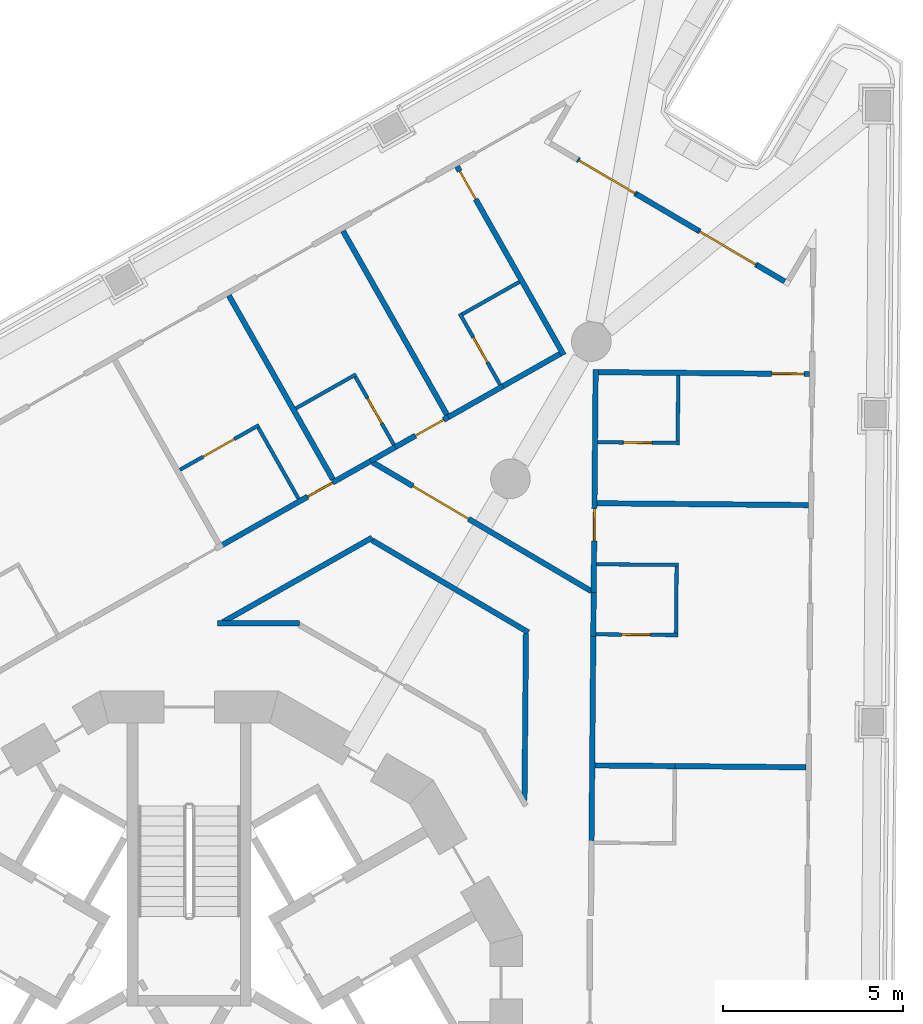
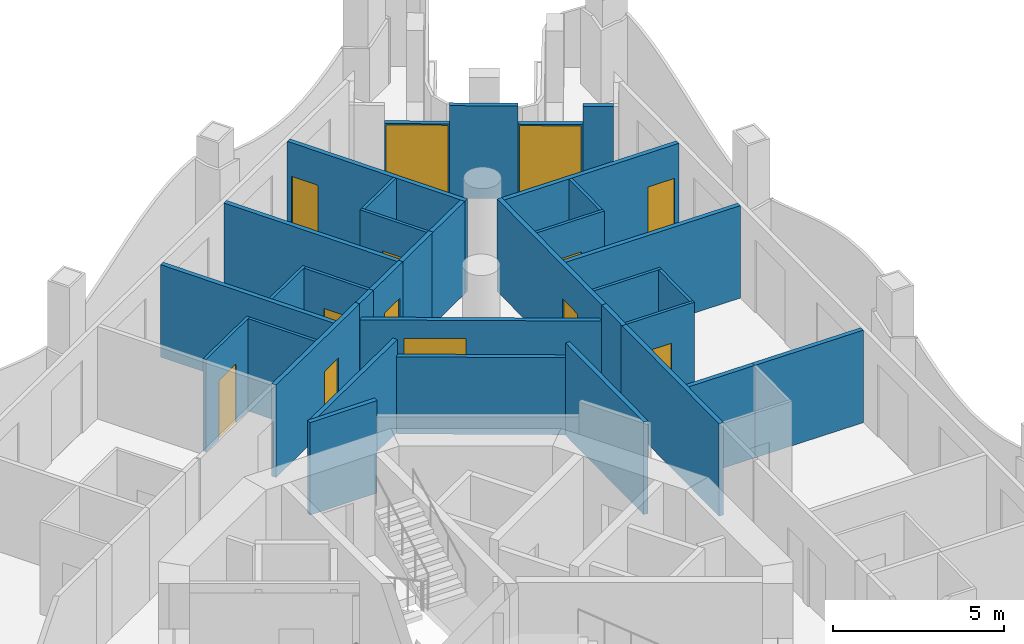
# One storey, part 9 of 17: 35 walls, 13 doors, 13 openings.
"""IFC4 building model written with IfcOpenShell, lengths in metres."""

import ifcopenshell
import ifcopenshell.guid

model = None  # the IFC model being written
_history = None  # IfcOwnerHistory: only IFC2X3 demands one
_inside = {}  # id of a spatial element -> (the spatial element, [elements in it])
_under = {}  # id of a project, library or spatial element -> (it, [spatial elements below it])
_declared = {}  # id of a project -> (the project, [libraries it declares])
_typed = {}  # id of a type object -> (the type object, [elements of that type])
_made_of = {}  # id of a material, layer set ... -> (it, [elements and type objects made of it])


def new_model(schema):
    """Start an empty IFC model of exactly this schema.

    Asked for "IFC4X3", IfcOpenShell would pick the latest addendum, in which some entities
    have other attributes; the version numbers below select the first issue.
    IFC2X3 requires an IfcOwnerHistory on every rooted entity: one is made here for all.
    """
    global model, _history
    if schema == "IFC4X3":
        model = ifcopenshell.file(schema_version=(4, 3, 0, 0))
    else:
        model = ifcopenshell.file(schema=schema)
    _inside.clear()
    _under.clear()
    _declared.clear()
    _typed.clear()
    _made_of.clear()
    _history = None
    if model.schema == "IFC2X3":
        org = make("IfcOrganization", Name="unknown")
        user = make(
            "IfcPersonAndOrganization",
            ThePerson=make("IfcPerson", FamilyName="unknown"),
            TheOrganization=org,
        )
        app = make(
            "IfcApplication",
            ApplicationDeveloper=org,
            Version="unknown",
            ApplicationFullName="unknown",
            ApplicationIdentifier="unknown",
        )
        _history = make(
            "IfcOwnerHistory",
            OwningUser=user,
            OwningApplication=app,
            ChangeAction="ADDED",
            CreationDate=0,
        )
    return model


def make(cls, **values):
    """One entity of the class cls with the attributes given. An attribute that is None is left unset."""
    return model.create_entity(
        cls, **{name: value for name, value in values.items() if value is not None}
    )


def rooted(cls, **values):
    """An entity with a GlobalId (a new one), such as an element, a storey or a relation."""
    return make(cls, GlobalId=ifcopenshell.guid.new(), OwnerHistory=_history, **values)


def si_unit(unit_type, name, prefix=None):
    """IfcSIUnit, for example si_unit("LENGTHUNIT", "METRE", prefix="MILLI")."""
    return make("IfcSIUnit", UnitType=unit_type, Prefix=prefix, Name=name)


def assignment(units):
    """IfcUnitAssignment: the units of a project."""
    return None if units is None else make("IfcUnitAssignment", Units=units)


def point(xyz):
    """IfcCartesianPoint."""
    return None if xyz is None else make("IfcCartesianPoint", Coordinates=xyz)


def direction(xyz):
    """IfcDirection."""
    return None if xyz is None else make("IfcDirection", DirectionRatios=xyz)


def frame(location, z_axis=None, x_axis=None):
    """IfcAxis2Placement3D, a coordinate frame: its origin and axes. An axis left out is left unset."""
    return make(
        "IfcAxis2Placement3D",
        Location=point(location),
        Axis=direction(z_axis),
        RefDirection=direction(x_axis),
    )


def frame_2d(location, x_axis=None):
    """IfcAxis2Placement2D, a coordinate frame in the plane: its origin and x axis."""
    return make(
        "IfcAxis2Placement2D", Location=point(location), RefDirection=direction(x_axis)
    )


def origin():
    """The frame at (0, 0, 0) with its axes left unset."""
    return frame((0.0, 0.0, 0.0))


def place(relative_to, where):
    """IfcLocalPlacement: puts the frame where relative to a parent placement (None: the world)."""
    return make(
        "IfcLocalPlacement", PlacementRelTo=relative_to, RelativePlacement=where
    )


def context(
    kind, dimensions, precision=None, world=None, true_north=None, identifier=None
):
    """IfcGeometricRepresentationContext, for example the 3D "Model" context."""
    return make(
        "IfcGeometricRepresentationContext",
        ContextIdentifier=identifier,
        ContextType=kind,
        CoordinateSpaceDimension=dimensions,
        Precision=precision,
        WorldCoordinateSystem=world,
        TrueNorth=true_north,
    )


def subcontext(parent, identifier, kind, view, scale=None):
    """IfcGeometricRepresentationSubContext, for example "Body" below "Model"."""
    return make(
        "IfcGeometricRepresentationSubContext",
        ContextIdentifier=identifier,
        ContextType=kind,
        ParentContext=parent,
        TargetScale=scale,
        TargetView=view,
    )


def project(units=None, contexts=None):
    """IfcProject with its units and contexts."""
    return rooted(
        "IfcProject",
        Name="project",
        RepresentationContexts=contexts,
        UnitsInContext=assignment(units),
    )


def spatial(cls, under=None, at=None, **own):
    """A site, building, storey or space (cls), placed at a placement, below another one or the project."""
    s = rooted(cls, ObjectPlacement=at, **own)
    if under is not None:
        _under.setdefault(under.id(), (under, []))[1].append(s)
    return s


def polyline(points):
    """IfcPolyline through the points."""
    return make("IfcPolyline", Points=[point(p) for p in points])


def profile(cls, at=None, kind="AREA", **sizes):
    """A parametric profile (cls). Its sizes go by their IFC names, for example OverallWidth=200.0."""
    return make(cls, ProfileType=kind, Position=at, **sizes)


def rectangle(**sizes):
    """IfcRectangleProfileDef."""
    return profile("IfcRectangleProfileDef", **sizes)


def outline(outer, holes=None, kind="AREA"):
    """IfcArbitraryClosedProfileDef: a profile drawn as a closed curve; with holes, ...WithVoids."""
    if holes is None:
        return make("IfcArbitraryClosedProfileDef", ProfileType=kind, OuterCurve=outer)
    return make(
        "IfcArbitraryProfileDefWithVoids",
        ProfileType=kind,
        OuterCurve=outer,
        InnerCurves=holes,
    )


def extrude(swept, where, along, depth):
    """IfcExtrudedAreaSolid: the profile swept, set in the frame where, extruded along a direction by depth."""
    return make(
        "IfcExtrudedAreaSolid",
        SweptArea=swept,
        Position=where,
        ExtrudedDirection=direction(along),
        Depth=depth,
    )


def shape(context_of_items, identifier, shape_type, items):
    """IfcShapeRepresentation: the items that make up one representation, for example the "Body"."""
    return make(
        "IfcShapeRepresentation",
        ContextOfItems=context_of_items,
        RepresentationIdentifier=identifier,
        RepresentationType=shape_type,
        Items=items,
    )


def material(Name=None, Category=None):
    """IfcMaterial."""
    return make("IfcMaterial", Name=Name, Category=Category)


def layer(
    of_material, thickness, ventilated=None, Name=None, Category=None, Priority=None
):
    """IfcMaterialLayer: one layer of a wall or slab, of a material (None: an air gap)."""
    return make(
        "IfcMaterialLayer",
        Material=of_material,
        LayerThickness=thickness,
        IsVentilated=ventilated,
        Name=Name,
        Category=Category,
        Priority=Priority,
    )


def layer_set(layers, Name=None):
    """IfcMaterialLayerSet."""
    return make("IfcMaterialLayerSet", MaterialLayers=layers, LayerSetName=Name)


def made_of(thing, what):
    """Note that an element or type object is made of a material, layer set ...; save() writes the relation."""
    if what is not None:
        _made_of.setdefault(what.id(), (what, []))[1].append(thing)
    return thing


def type_object(cls, material=None, **own):
    """A type object (cls), such as IfcWallType, which elements share."""
    return made_of(rooted(cls, **own), material)


def element(
    cls,
    number,
    at=None,
    inside=None,
    cuts=None,
    type_object=None,
    material=None,
    context=None,
    identifier="Body",
    shape_type=None,
    held_by="IfcProductDefinitionShape",
    body=None,
    shapes=None,
    **own,
):
    """One element of the class cls, such as IfcWall. Its Tag is "e" and its number.

    at: its placement. inside: the storey or other place that contains it. cuts: it is an
    opening in that element (IfcRelVoidsElement). A single representation is given by context,
    identifier, shape_type and body (its items); several are given by shapes. held_by: the class
    of the entity that holds the representations. save() writes the other relations.
    """
    e = rooted(cls, Tag="e%d" % number, ObjectPlacement=at, **own)
    if body is not None:
        shapes = [shape(context, identifier, shape_type, body)]
    if shapes is not None:
        e.Representation = make(held_by, Representations=shapes)
    if inside is not None:
        _inside.setdefault(inside.id(), (inside, []))[1].append(e)
    if cuts is not None:
        rooted(
            "IfcRelVoidsElement", RelatingBuildingElement=cuts, RelatedOpeningElement=e
        )
    if type_object is not None:
        _typed.setdefault(type_object.id(), (type_object, []))[1].append(e)
    return made_of(e, material)


def fill(opening, filler):
    """IfcRelFillsElement: the door or window that sits in an opening."""
    return rooted(
        "IfcRelFillsElement",
        RelatingOpeningElement=opening,
        RelatedBuildingElement=filler,
    )


def aggregate(whole, parts):
    """IfcRelAggregates: a whole, such as a stair, and the parts it consists of."""
    return rooted("IfcRelAggregates", RelatingObject=whole, RelatedObjects=parts)


def save(model, path):
    """Write the relations noted so far, then the file.

    IfcRelAggregates (storeys below a building ...), IfcRelContainedInSpatialStructure (elements
    in a storey), IfcRelDefinesByType, IfcRelAssociatesMaterial and IfcRelDeclares: one each for
    every whole, place, type object, material and project.
    """
    for whole, parts in _under.values():
        aggregate(whole, parts)
    for where, things in _inside.values():
        rooted(
            "IfcRelContainedInSpatialStructure",
            RelatedElements=things,
            RelatingStructure=where,
        )
    for kind, things in _typed.values():
        rooted("IfcRelDefinesByType", RelatedObjects=things, RelatingType=kind)
    for what, things in _made_of.values():
        rooted("IfcRelAssociatesMaterial", RelatedObjects=things, RelatingMaterial=what)
    for by, libraries in _declared.values():
        rooted("IfcRelDeclares", RelatingContext=by, RelatedDefinitions=libraries)
    model.write(path)


model = new_model("IFC4")

# Units and contexts
model_context = context("Model", 3, precision=1e-05, world=origin(), true_north=direction((0.0, 1.0)))
body_context = subcontext(model_context, "Body", "Model", "MODEL_VIEW")
ifc_project = project(units=[si_unit("LENGTHUNIT", "METRE"), si_unit("AREAUNIT", "SQUARE_METRE"), si_unit("VOLUMEUNIT", "CUBIC_METRE"), si_unit("PLANEANGLEUNIT", "RADIAN"), si_unit("MASSUNIT", "GRAM", prefix="KILO")], contexts=[model_context])

# Site, building, storey
site_placement = place(None, origin())
site = spatial("IfcSite", under=ifc_project, at=site_placement, CompositionType="ELEMENT")
building_placement = place(site_placement, origin())
building = spatial("IfcBuilding", under=site, at=building_placement, Name="Trine Commons Tower", CompositionType="ELEMENT")
storey_placement = place(building_placement, frame((0.0, 0.0, 168.300048828125)))
storey = spatial("IfcBuildingStorey", under=building, at=storey_placement, Name="L43", CompositionType="ELEMENT", Elevation=168.300048828125)

# Wall, opening, door
ifc_material_1 = material(Name="Aluminium-framed insulated wall panel", Category="aluminium")
ifc_layer_1 = layer(ifc_material_1, 0.14990234375)
ifc_layer_set_1 = layer_set([ifc_layer_1], Name="Aluminium-framed insulated wall panel")
wall_type_1 = type_object("IfcWallType", Name="Glazed frame wall 150, EI 60", PredefinedType="SOLIDWALL", material=ifc_layer_set_1)
wall_1_placement = place(storey_placement, frame((90.803955078125, 86.55517578125, 0.0), z_axis=(0.0, 0.0, 1.0), x_axis=(0.861603693734, -0.50758159437, 0.0)))
wall_1 = element("IfcWall", 1, at=wall_1_placement, inside=storey, type_object=wall_type_1, Name="Glazed frame wall P2.2", PredefinedType="SOLIDWALL", context=body_context, shape_type="SweptSolid", body=[
    extrude(outline(polyline([(0.0, -0.074951171875), (1.89990234375, -0.074951171875), (1.89990234375, 0.074951171875), (0.0, 0.074951171875), (0.0, -0.074951171875)])), origin(), (0.0, 0.0, 1.0), 2.64990234375),
])
opening_1_placement = place(wall_1_placement, frame((0.050048828125, 0.0, 0.0)))
opening_1 = element("IfcOpeningElement", 2, at=opening_1_placement, cuts=wall_1, Name="Opening BD-5P2-01", PredefinedType="OPENING", context=body_context, shape_type="SweptSolid", body=[
    extrude(rectangle(XDim=1.800048828125, YDim=2.60009765625, at=frame_2d((0.89990234375, 1.300048828125))), frame((0.0, 0.0849609375, 0.0), z_axis=(0.0, -1.0, 0.0), x_axis=(1.0, 0.0, 0.0)), (0.0, 0.0, 1.0), 0.169921875),
])
ifc_material_2 = material(Name="Anodised aluminium frame with double glazing", Category="aluminium")
door_type_1 = type_object("IfcDoorType", Name="Sliding loggia door 1800x2600", OperationType="SLIDING_TO_LEFT", PredefinedType="DOOR", material=ifc_material_2)
door_1_placement = place(opening_1_placement, origin())
door_1 = element("IfcDoor", 3, at=door_1_placement, inside=storey, type_object=door_type_1, Name="Loggia door P2 1", OperationType="SLIDING_TO_LEFT", OverallHeight=2.60009765625, OverallWidth=1.800048828125, PredefinedType="DOOR", context=body_context, shape_type="SweptSolid", body=[
    extrude(rectangle(XDim=1.800048828125, YDim=2.60009765625, at=frame_2d((0.89990234375, 1.300048828125))), frame((0.0, 0.02490234375, 0.0), z_axis=(0.0, -1.0, 0.0), x_axis=(1.0, 0.0, 0.0)), (0.0, 0.0, 1.0), 0.050048828125),
])
fill(opening_1, door_1)

# Wall
wall_2_placement = place(storey_placement, frame((92.44091796875, 85.5908203125, 0.0), z_axis=(0.0, 0.0, 1.0), x_axis=(0.861632831324, -0.507532130988, 0.0)))
element("IfcWall", 4, at=wall_2_placement, inside=storey, type_object=wall_type_1, Name="Glazed frame wall P2.3", PredefinedType="SOLIDWALL", context=body_context, shape_type="SweptSolid", body=[
    extrude(outline(polyline([(0.0, -0.074951171875), (2.0, -0.074951171875), (2.0, 0.074951171875), (0.0, 0.074951171875), (0.0, -0.074951171875)])), origin(), (0.0, 0.0, 1.0), 3.300048828125),
])

# Wall, opening, door
wall_3_placement = place(storey_placement, frame((94.164306640625, 84.57568359375, 0.0), z_axis=(0.0, 0.0, 1.0), x_axis=(0.86165989029, -0.507486190418, 0.0)))
wall_3 = element("IfcWall", 5, at=wall_3_placement, inside=storey, type_object=wall_type_1, Name="Glazed frame wall P2.4", PredefinedType="SOLIDWALL", context=body_context, shape_type="SweptSolid", body=[
    extrude(outline(polyline([(0.0, -0.074951171875), (1.89990234375, -0.074951171875), (1.89990234375, 0.074951171875), (0.0, 0.074951171875), (0.0, -0.074951171875)])), origin(), (0.0, 0.0, 1.0), 2.64990234375),
])
opening_2_placement = place(wall_3_placement, frame((0.050048828125, 0.0, 0.0)))
opening_2 = element("IfcOpeningElement", 6, at=opening_2_placement, cuts=wall_3, Name="Opening BD-5P2-02", PredefinedType="OPENING", context=body_context, shape_type="SweptSolid", body=[
    extrude(rectangle(XDim=1.800048828125, YDim=2.60009765625, at=frame_2d((0.89990234375, 1.300048828125))), frame((0.0, 0.0849609375, 0.0), z_axis=(0.0, -1.0, 0.0), x_axis=(1.0, 0.0, 0.0)), (0.0, 0.0, 1.0), 0.169921875),
])
door_2_placement = place(opening_2_placement, origin())
door_2 = element("IfcDoor", 7, at=door_2_placement, inside=storey, type_object=door_type_1, Name="Loggia door P2 2", OperationType="SLIDING_TO_LEFT", OverallHeight=2.60009765625, OverallWidth=1.800048828125, PredefinedType="DOOR", context=body_context, shape_type="SweptSolid", body=[
    extrude(rectangle(XDim=1.800048828125, YDim=2.60009765625, at=frame_2d((0.89990234375, 1.300048828125))), frame((0.0, 0.02490234375, 0.0), z_axis=(0.0, -1.0, 0.0), x_axis=(1.0, 0.0, 0.0)), (0.0, 0.0, 1.0), 0.050048828125),
])
fill(opening_2, door_2)

# Wall
wall_4_placement = place(storey_placement, frame((95.80126953125, 83.611572265625, 0.0), z_axis=(0.0, 0.0, 1.0), x_axis=(0.861664268073, -0.507478757315, 0.0)))
element("IfcWall", 8, at=wall_4_placement, inside=storey, type_object=wall_type_1, Name="Glazed frame wall P2.5", PredefinedType="SOLIDWALL", context=body_context, shape_type="SweptSolid", body=[
    extrude(outline(polyline([(0.889892578125, 0.074951171875), (0.0, 0.074951171875), (0.0, -0.074951171875), (0.889892578125, -0.074951171875), (0.889892578125, 0.074951171875)])), origin(), (0.0, 0.0, 1.0), 3.300048828125),
])

# Wall, opening, door
ifc_material_3 = material(Name="Gypsum plasterboard on steel stud", Category="steel")
ifc_layer_2 = layer(ifc_material_3, 0.14990234375)
ifc_layer_set_2 = layer_set([ifc_layer_2], Name="Gypsum plasterboard on steel stud")
wall_type_2 = type_object("IfcWallType", Name="Unit and corridor wall 150 mm, EI 60", PredefinedType="PARTITIONING", material=ifc_layer_set_2)
wall_5_placement = place(storey_placement, frame((80.85595703125, 75.79296875, 0.0), z_axis=(0.0, 0.0, 1.0), x_axis=(0.870296246949, 0.492528621043, 0.0)))
wall_5 = element("IfcWall", 9, at=wall_5_placement, inside=storey, type_object=wall_type_2, Name="Partition 067", PredefinedType="PARTITIONING", context=body_context, shape_type="SweptSolid", body=[
    extrude(rectangle(XDim=4.812255859375, YDim=0.14990234375, at=frame_2d((2.40625, 0.0))), origin(), (0.0, 0.0, 1.0), 3.300048828125),
])
opening_3_placement = place(wall_5_placement, frame((2.800537109375, 0.0, 0.0)))
opening_3 = element("IfcOpeningElement", 10, at=opening_3_placement, cuts=wall_5, Name="Opening D-5A10", PredefinedType="OPENING", context=body_context, shape_type="SweptSolid", body=[
    extrude(rectangle(XDim=0.800048828125, YDim=2.10009765625, at=frame_2d((0.39990234375, 1.050048828125))), frame((0.0, 0.0849609375, 0.0), z_axis=(0.0, -1.0, 0.0), x_axis=(1.0, 0.0, 0.0)), (0.0, 0.0, 1.0), 0.169921875),
])
ifc_material_4 = material(Name="Timber fire door set", Category="wood")
door_type_2 = type_object("IfcDoorType", Name="Bedroom door 800 x 2100, FD30S", OperationType="NOTDEFINED", PredefinedType="DOOR", material=ifc_material_4)
door_3_placement = place(opening_3_placement, origin())
door_3 = element("IfcDoor", 11, at=door_3_placement, inside=storey, type_object=door_type_2, Name="Door D-5A10", OperationType="SINGLE_SWING_RIGHT", OverallHeight=2.10009765625, OverallWidth=0.800048828125, PredefinedType="DOOR", context=body_context, shape_type="SweptSolid", body=[
    extrude(rectangle(XDim=0.800048828125, YDim=2.10009765625, at=frame_2d((0.39990234375, 1.050048828125))), frame((0.0, 0.02490234375, 0.0), z_axis=(0.0, -1.0, 0.0), x_axis=(1.0, 0.0, 0.0)), (0.0, 0.0, 1.0), 0.050048828125),
])
fill(opening_3, door_3)

# Walls
wall_6_placement = place(storey_placement, frame((80.79296875, 73.64794921875, 0.0), z_axis=(0.0, 0.0, 1.0), x_axis=(1.0, 0.0, 0.0)))
element("IfcWall", 12, at=wall_6_placement, inside=storey, type_object=wall_type_2, Name="Partition 068", PredefinedType="PARTITIONING", context=body_context, shape_type="SweptSolid", body=[
    extrude(rectangle(XDim=2.26904296875, YDim=0.14990234375, at=frame_2d((1.134521484375, 0.0))), origin(), (0.0, 0.0, 1.0), 3.300048828125),
])
wall_7_placement = place(storey_placement, frame((80.937255859375, 73.684814453125, 0.0), z_axis=(0.0, 0.0, 1.0), x_axis=(0.870319748897, 0.492487090876, 0.0)))
element("IfcWall", 13, at=wall_7_placement, inside=storey, type_object=wall_type_2, Name="Partition 069", PredefinedType="PARTITIONING", context=body_context, shape_type="SweptSolid", body=[
    extrude(rectangle(XDim=4.77197265625, YDim=0.14990234375, at=frame_2d((2.385986328125, 0.0))), origin(), (0.0, 0.0, 1.0), 3.300048828125),
])
wall_8_placement = place(storey_placement, frame((81.103759765625, 82.769287109375, 0.0), z_axis=(0.0, 0.0, 1.0), x_axis=(0.492361245758, -0.870390948756, 0.0)))
element("IfcWall", 14, at=wall_8_placement, inside=storey, type_object=wall_type_2, Name="Partition 072", PredefinedType="PARTITIONING", context=body_context, shape_type="SweptSolid", body=[
    extrude(rectangle(XDim=5.87451171875, YDim=0.14990234375, at=frame_2d((2.937255859375, 0.0))), origin(), (0.0, 0.0, 1.0), 3.300048828125),
])
wall_9_placement = place(storey_placement, frame((84.27880859375, 84.565185546875, 0.0), z_axis=(0.0, 0.0, 1.0), x_axis=(0.4923790567, -0.870380873252, 0.0)))
element("IfcWall", 15, at=wall_9_placement, inside=storey, type_object=wall_type_2, Name="Partition 082", PredefinedType="PARTITIONING", context=body_context, shape_type="SweptSolid", body=[
    extrude(rectangle(XDim=5.874267578125, YDim=0.14990234375, at=frame_2d((2.93701171875, 0.0))), origin(), (0.0, 0.0, 1.0), 3.300048828125),
])
wall_10_placement = place(storey_placement, frame((85.089599609375, 75.9599609375, 0.0), z_axis=(0.0, 0.0, 1.0), x_axis=(0.861605399292, -0.507578699229, 0.0)))
element("IfcWall", 16, at=wall_10_placement, inside=storey, type_object=wall_type_2, Name="Partition 087", PredefinedType="PARTITIONING", context=body_context, shape_type="SweptSolid", body=[
    extrude(rectangle(XDim=5.041748046875, YDim=0.14990234375, at=frame_2d((2.52099609375, 0.0))), origin(), (0.0, 0.0, 1.0), 2.75),
])
wall_11_placement = place(storey_placement, frame((85.0439453125, 78.1630859375, 0.0), z_axis=(0.0, 0.0, 1.0), x_axis=(0.870602999544, 0.491986196133, 0.0)))
element("IfcWall", 17, at=wall_11_placement, inside=storey, type_object=wall_type_2, Name="Partition 088", PredefinedType="PARTITIONING", context=body_context, shape_type="SweptSolid", body=[
    extrude(rectangle(XDim=0.79248046875, YDim=0.14990234375, at=frame_2d((0.396240234375, 0.0))), origin(), (0.0, 0.0, 1.0), 3.300048828125),
])

# Wall, opening, door
wall_12_placement = place(storey_placement, frame((85.108642578125, 78.125, 0.0), z_axis=(0.0, 0.0, 1.0), x_axis=(0.861598717736, -0.507590040875, 0.0)))
wall_12 = element("IfcWall", 18, at=wall_12_placement, inside=storey, type_object=wall_type_2, Name="Partition 089", PredefinedType="PARTITIONING", context=body_context, shape_type="SweptSolid", body=[
    extrude(rectangle(XDim=7.056396484375, YDim=0.14990234375, at=frame_2d((3.5283203125, 0.0))), origin(), (0.0, 0.0, 1.0), 2.75),
])
opening_4_placement = place(wall_12_placement, frame((1.29296875, 0.0, 0.0)))
opening_4 = element("IfcOpeningElement", 19, at=opening_4_placement, cuts=wall_12, Name="Opening D-5A01", PredefinedType="OPENING", context=body_context, shape_type="SweptSolid", body=[
    extrude(rectangle(XDim=1.800048828125, YDim=2.10009765625, at=frame_2d((0.89990234375, 1.050048828125))), frame((0.0, 0.0849609375, 0.0), z_axis=(0.0, -1.0, 0.0), x_axis=(1.0, 0.0, 0.0)), (0.0, 0.0, 1.0), 0.169921875),
])
door_type_3 = type_object("IfcDoorType", Name="Cluster entrance door 1800 x 2100, double leaf, FD30S", OperationType="DOUBLE_DOOR_DOUBLE_SWING", PredefinedType="DOOR", material=ifc_material_4)
door_4_placement = place(opening_4_placement, origin())
door_4 = element("IfcDoor", 20, at=door_4_placement, inside=storey, type_object=door_type_3, Name="Door D-5A01", OperationType="DOUBLE_DOOR_DOUBLE_SWING", OverallHeight=2.10009765625, OverallWidth=1.800048828125, PredefinedType="DOOR", context=body_context, shape_type="SweptSolid", body=[
    extrude(rectangle(XDim=1.800048828125, YDim=2.10009765625, at=frame_2d((0.89990234375, 1.050048828125))), frame((0.0, 0.02490234375, 0.0), z_axis=(0.0, -1.0, 0.0), x_axis=(1.0, 0.0, 0.0)), (0.0, 0.0, 1.0), 0.050048828125),
])
fill(opening_4, door_4)

wall_13_placement = place(storey_placement, frame((85.72802734375, 78.550048828125, 0.0), z_axis=(0.0, 0.0, 1.0), x_axis=(0.870461194111, 0.492237046093, 0.0)))
wall_13 = element("IfcWall", 21, at=wall_13_placement, inside=storey, type_object=wall_type_2, Name="Partition 090", PredefinedType="PARTITIONING", context=body_context, shape_type="SweptSolid", body=[
    extrude(rectangle(XDim=1.7001953125, YDim=0.14990234375, at=frame_2d((0.85009765625, 0.0))), origin(), (0.0, 0.0, 1.0), 3.300048828125),
])
opening_5_placement = place(wall_13_placement, frame((0.650146484375, 0.0, 0.0)))
opening_5 = element("IfcOpeningElement", 22, at=opening_5_placement, cuts=wall_13, Name="Opening D-5A11", PredefinedType="OPENING", context=body_context, shape_type="SweptSolid", body=[
    extrude(rectangle(XDim=0.89990234375, YDim=2.10009765625, at=frame_2d((0.449951171875, 1.050048828125))), frame((0.0, 0.0849609375, 0.0), z_axis=(0.0, -1.0, 0.0), x_axis=(1.0, 0.0, 0.0)), (0.0, 0.0, 1.0), 0.169921875),
])
door_type_4 = type_object("IfcDoorType", Name="Bedroom door 900 x 2100, FD30S", OperationType="NOTDEFINED", PredefinedType="DOOR", material=ifc_material_4)
door_5_placement = place(opening_5_placement, origin())
door_5 = element("IfcDoor", 23, at=door_5_placement, inside=storey, type_object=door_type_4, Name="Door D-5A11", OperationType="SINGLE_SWING_RIGHT", OverallHeight=2.10009765625, OverallWidth=0.89990234375, PredefinedType="DOOR", context=body_context, shape_type="SweptSolid", body=[
    extrude(rectangle(XDim=0.89990234375, YDim=2.10009765625, at=frame_2d((0.449951171875, 1.050048828125))), frame((0.0, 0.02490234375, 0.0), z_axis=(0.0, -1.0, 0.0), x_axis=(1.0, 0.0, 0.0)), (0.0, 0.0, 1.0), 0.050048828125),
])
fill(opening_5, door_5)

# Wall
wall_14_placement = place(storey_placement, frame((87.2080078125, 79.386962890625, 0.0), z_axis=(0.0, 0.0, 1.0), x_axis=(0.87020157879, 0.492695861837, 0.0)))
element("IfcWall", 24, at=wall_14_placement, inside=storey, type_object=wall_type_2, Name="Partition 095", PredefinedType="PARTITIONING", context=body_context, shape_type="SweptSolid", body=[
    extrude(rectangle(XDim=1.750732421875, YDim=0.14990234375, at=frame_2d((0.87548828125, 0.0))), origin(), (0.0, 0.0, 1.0), 3.300048828125),
])

# Wall, opening, door
wall_15_placement = place(storey_placement, frame((87.45263671875, 86.361083984375, 0.0), z_axis=(0.0, 0.0, 1.0), x_axis=(0.492389730591, -0.870374834889, 0.0)))
wall_15 = element("IfcWall", 25, at=wall_15_placement, inside=storey, type_object=wall_type_2, Name="Partition 096", PredefinedType="PARTITIONING", context=body_context, shape_type="SweptSolid", body=[
    extrude(rectangle(XDim=6.0244140625, YDim=0.14990234375, at=frame_2d((3.01220703125, 0.0))), origin(), (0.0, 0.0, 1.0), 3.300048828125),
])
opening_6_placement = place(wall_15_placement, frame((0.14990234375, 0.0, 0.0)))
opening_6 = element("IfcOpeningElement", 26, at=opening_6_placement, cuts=wall_15, Name="Opening D-5A12", PredefinedType="OPENING", context=body_context, shape_type="SweptSolid", body=[
    extrude(rectangle(XDim=0.89990234375, YDim=2.10009765625, at=frame_2d((0.449951171875, 1.050048828125))), frame((0.0, 0.0849609375, 0.0), z_axis=(0.0, -1.0, 0.0), x_axis=(1.0, 0.0, 0.0)), (0.0, 0.0, 1.0), 0.169921875),
])
door_6_placement = place(opening_6_placement, frame((0.89990234375, 0.0, 0.0), z_axis=(0.0, 0.0, 1.0), x_axis=(-1.0, 0.0, 0.0)))
door_6 = element("IfcDoor", 27, at=door_6_placement, inside=storey, type_object=door_type_4, Name="Door D-5A12", OperationType="SINGLE_SWING_RIGHT", OverallHeight=2.10009765625, OverallWidth=0.89990234375, PredefinedType="DOOR", context=body_context, shape_type="SweptSolid", body=[
    extrude(rectangle(XDim=0.89990234375, YDim=2.10009765625, at=frame_2d((0.449951171875, 1.050048828125))), frame((0.0, 0.02490234375, 0.0), z_axis=(0.0, -1.0, 0.0), x_axis=(1.0, 0.0, 0.0)), (0.0, 0.0, 1.0), 0.050048828125),
])
fill(opening_6, door_6)

# Walls
wall_16_placement = place(storey_placement, frame((88.681884765625, 80.220947265625, 0.0), z_axis=(0.0, 0.0, 1.0), x_axis=(0.870323079534, 0.492481204951, 0.0)))
element("IfcWall", 28, at=wall_16_placement, inside=storey, type_object=wall_type_2, Name="Partition 103", PredefinedType="PARTITIONING", context=body_context, shape_type="SweptSolid", body=[
    extrude(rectangle(XDim=1.87841796875, YDim=0.14990234375, at=frame_2d((0.939208984375, 0.0))), origin(), (0.0, 0.0, 1.0), 3.300048828125),
])
wall_17_placement = place(storey_placement, frame((89.32763671875, 68.716064453125, 0.0), z_axis=(0.0, 0.0, 1.0), x_axis=(0.008771592358, 0.999961528844, 0.0)))
element("IfcWall", 29, at=wall_17_placement, inside=storey, type_object=wall_type_2, Name="Partition 107", PredefinedType="PARTITIONING", context=body_context, shape_type="SweptSolid", body=[
    extrude(rectangle(XDim=4.648193359375, YDim=0.14990234375, at=frame_2d((2.32421875, 0.0))), origin(), (0.0, 0.0, 1.0), 3.300048828125),
])
wall_18_placement = place(storey_placement, frame((91.19189453125, 67.54296875, 0.0), z_axis=(0.0, 0.0, 1.0), x_axis=(0.008789667593, 0.999961370126, 0.0)))
element("IfcWall", 30, at=wall_18_placement, inside=storey, type_object=wall_type_2, Name="Partition 123", PredefinedType="PARTITIONING", context=body_context, shape_type="SweptSolid", body=[
    extrude(rectangle(XDim=5.80517578125, YDim=0.14990234375, at=frame_2d((2.902587890625, 0.0))), origin(), (0.0, 0.0, 1.0), 3.300048828125),
])
wall_19_placement = place(storey_placement, frame((91.285888671875, 69.6962890625, 0.0), z_axis=(0.0, 0.0, 1.0), x_axis=(0.999962566689, -0.008652469087, 0.0)))
element("IfcWall", 31, at=wall_19_placement, inside=storey, type_object=wall_type_2, Name="Partition 125", PredefinedType="PARTITIONING", context=body_context, shape_type="SweptSolid", body=[
    extrude(rectangle(XDim=2.22900390625, YDim=0.14990234375, at=frame_2d((1.114501953125, 0.0))), origin(), (0.0, 0.0, 1.0), 3.300048828125),
])
wall_20_placement = place(storey_placement, frame((91.24267578125, 73.2900390625, 0.0), z_axis=(0.0, 0.0, 1.0), x_axis=(0.008440213825, 0.999964380761, 0.0)))
element("IfcWall", 32, at=wall_20_placement, inside=storey, type_object=wall_type_2, Name="Partition 126", PredefinedType="PARTITIONING", context=body_context, shape_type="SweptSolid", body=[
    extrude(rectangle(XDim=1.21484375, YDim=0.14990234375, at=frame_2d((0.607421875, 0.0))), origin(), (0.0, 0.0, 1.0), 3.300048828125),
])

# Wall, opening, door
wall_21_placement = place(storey_placement, frame((91.2529296875, 74.5048828125, 0.0), z_axis=(0.0, 0.0, 1.0), x_axis=(0.008808844939, 0.999961201373, 0.0)))
wall_21 = element("IfcWall", 33, at=wall_21_placement, inside=storey, type_object=wall_type_2, Name="Partition 128", PredefinedType="PARTITIONING", context=body_context, shape_type="SweptSolid", body=[
    extrude(rectangle(XDim=6.208251953125, YDim=0.14990234375, at=frame_2d((3.10400390625, 0.0))), origin(), (0.0, 0.0, 1.0), 3.300048828125),
])
opening_7_placement = place(wall_21_placement, frame((1.43603515625, 0.0, 0.0)))
opening_7 = element("IfcOpeningElement", 34, at=opening_7_placement, cuts=wall_21, Name="Opening D-5A14", PredefinedType="OPENING", context=body_context, shape_type="SweptSolid", body=[
    extrude(rectangle(XDim=0.89990234375, YDim=2.10009765625, at=frame_2d((0.449951171875, 1.050048828125))), frame((0.0, 0.0849609375, 0.0), z_axis=(0.0, -1.0, 0.0), x_axis=(1.0, 0.0, 0.0)), (0.0, 0.0, 1.0), 0.169921875),
])
door_7_placement = place(opening_7_placement, frame((0.89990234375, 0.0, 0.0), z_axis=(0.0, 0.0, 1.0), x_axis=(-1.0, 0.0, 0.0)))
door_7 = element("IfcDoor", 35, at=door_7_placement, inside=storey, type_object=door_type_4, Name="Door D-5A14", OperationType="SINGLE_SWING_RIGHT", OverallHeight=2.10009765625, OverallWidth=0.89990234375, PredefinedType="DOOR", context=body_context, shape_type="SweptSolid", body=[
    extrude(rectangle(XDim=0.89990234375, YDim=2.10009765625, at=frame_2d((0.449951171875, 1.050048828125))), frame((0.0, 0.02490234375, 0.0), z_axis=(0.0, -1.0, 0.0), x_axis=(1.0, 0.0, 0.0)), (0.0, 0.0, 1.0), 0.050048828125),
])
fill(opening_7, door_7)

# Wall
wall_22_placement = place(storey_placement, frame((91.35009765625, 76.990234375, 0.0), z_axis=(0.0, 0.0, 1.0), x_axis=(0.999962273479, -0.008686289076, 0.0)))
element("IfcWall", 36, at=wall_22_placement, inside=storey, type_object=wall_type_2, Name="Partition 130", PredefinedType="PARTITIONING", context=body_context, shape_type="SweptSolid", body=[
    extrude(rectangle(XDim=5.874267578125, YDim=0.14990234375, at=frame_2d((2.93701171875, 0.0))), origin(), (0.0, 0.0, 1.0), 3.300048828125),
])

# Wall, opening, door
wall_23_placement = place(storey_placement, frame((91.382080078125, 80.63720703125, 0.0), z_axis=(0.0, 0.0, 1.0), x_axis=(0.999962273479, -0.008686289076, 0.0)))
wall_23 = element("IfcWall", 37, at=wall_23_placement, inside=storey, type_object=wall_type_2, Name="Partition 132", PredefinedType="PARTITIONING", context=body_context, shape_type="SweptSolid", body=[
    extrude(rectangle(XDim=5.874267578125, YDim=0.14990234375, at=frame_2d((2.93701171875, 0.0))), origin(), (0.0, 0.0, 1.0), 3.300048828125),
])
opening_8_placement = place(wall_23_placement, frame((4.82421875, 0.0, 0.0)))
opening_8 = element("IfcOpeningElement", 38, at=opening_8_placement, cuts=wall_23, Name="Opening D-5A13", PredefinedType="OPENING", context=body_context, shape_type="SweptSolid", body=[
    extrude(rectangle(XDim=0.89990234375, YDim=2.10009765625, at=frame_2d((0.449951171875, 1.050048828125))), frame((0.0, 0.0849609375, 0.0), z_axis=(0.0, -1.0, 0.0), x_axis=(1.0, 0.0, 0.0)), (0.0, 0.0, 1.0), 0.169921875),
])
door_8_placement = place(opening_8_placement, frame((0.89990234375, 0.0, 0.0), z_axis=(0.0, 0.0, 1.0), x_axis=(-1.0, 0.0, 0.0)))
door_8 = element("IfcDoor", 39, at=door_8_placement, inside=storey, type_object=door_type_4, Name="Door D-5A13", OperationType="SINGLE_SWING_LEFT", OverallHeight=2.10009765625, OverallWidth=0.89990234375, PredefinedType="DOOR", context=body_context, shape_type="SweptSolid", body=[
    extrude(rectangle(XDim=0.89990234375, YDim=2.10009765625, at=frame_2d((0.449951171875, 1.050048828125))), frame((0.0, 0.02490234375, 0.0), z_axis=(0.0, -1.0, 0.0), x_axis=(1.0, 0.0, 0.0)), (0.0, 0.0, 1.0), 0.050048828125),
])
fill(opening_8, door_8)

# Wall
wall_24_placement = place(storey_placement, frame((93.4609375, 69.677490234375, 0.0), z_axis=(0.0, 0.0, 1.0), x_axis=(0.999959736668, -0.008973574674, 0.0)))
element("IfcWall", 40, at=wall_24_placement, inside=storey, type_object=wall_type_2, Name="Partition 136", PredefinedType="PARTITIONING", context=body_context, shape_type="SweptSolid", body=[
    extrude(rectangle(XDim=3.7001953125, YDim=0.14990234375, at=frame_2d((1.85009765625, 0.0))), origin(), (0.0, 0.0, 1.0), 3.300048828125),
])

# Wall, opening, door
ifc_layer_3 = layer(ifc_material_3, 0.10009765625)
ifc_layer_set_3 = layer_set([ifc_layer_3], Name="Gypsum plasterboard on steel stud")
wall_type_3 = type_object("IfcWallType", Name="Unit partition 100 mm, no rating", PredefinedType="PARTITIONING", material=ifc_layer_set_3)
wall_25_placement = place(storey_placement, frame((79.7421875, 77.9208984375, 0.0), z_axis=(0.0, 0.0, 1.0), x_axis=(0.870364731179, 0.49240759003, 0.0)))
wall_25 = element("IfcWall", 41, at=wall_25_placement, inside=storey, type_object=wall_type_3, Name="Partition 063", PredefinedType="PARTITIONING", context=body_context, shape_type="SweptSolid", body=[
    extrude(rectangle(XDim=2.525634765625, YDim=0.10009765625, at=frame_2d((1.2626953125, 0.0))), origin(), (0.0, 0.0, 1.0), 3.300048828125),
])
opening_9_placement = place(wall_25_placement, frame((0.73779296875, 0.0, 0.0)))
opening_9 = element("IfcOpeningElement", 42, at=opening_9_placement, cuts=wall_25, Name="Opening D-5A35", PredefinedType="OPENING", context=body_context, shape_type="SweptSolid", body=[
    extrude(rectangle(XDim=1.0, YDim=2.10009765625, at=frame_2d((0.5, 1.050048828125))), frame((0.0, 0.06005859375, 0.0), z_axis=(0.0, -1.0, 0.0), x_axis=(1.0, 0.0, 0.0)), (0.0, 0.0, 1.0), 0.1201171875),
])
ifc_material_5 = material(Name="Painted timber", Category="wood")
door_type_5 = type_object("IfcDoorType", Name="Internal door 1000 x 2100, NOT RATED", OperationType="NOTDEFINED", PredefinedType="DOOR", material=ifc_material_5)
door_9_placement = place(opening_9_placement, origin())
door_9 = element("IfcDoor", 43, at=door_9_placement, inside=storey, type_object=door_type_5, Name="Door D-5A35", OperationType="SINGLE_SWING_LEFT", OverallHeight=2.10009765625, OverallWidth=1.0, PredefinedType="DOOR", context=body_context, shape_type="SweptSolid", body=[
    extrude(rectangle(XDim=1.0, YDim=2.10009765625, at=frame_2d((0.5, 1.050048828125))), frame((0.0, 0.02490234375, 0.0), z_axis=(0.0, -1.0, 0.0), x_axis=(1.0, 0.0, 0.0)), (0.0, 0.0, 1.0), 0.050048828125),
])
fill(opening_9, door_9)

# Walls
wall_26_placement = place(storey_placement, frame((81.921630859375, 79.096435546875, 0.0), z_axis=(0.0, 0.0, 1.0), x_axis=(0.492424941649, -0.870354914298, 0.0)))
element("IfcWall", 44, at=wall_26_placement, inside=storey, type_object=wall_type_3, Name="Partition 073", PredefinedType="PARTITIONING", context=body_context, shape_type="SweptSolid", body=[
    extrude(rectangle(XDim=2.275146484375, YDim=0.10009765625, at=frame_2d((1.1376953125, 0.0))), origin(), (0.0, 0.0, 1.0), 3.300048828125),
])
wall_27_placement = place(storey_placement, frame((82.96630859375, 79.6298828125, 0.0), z_axis=(0.0, 0.0, 1.0), x_axis=(0.870373787042, 0.492391582818, 0.0)))
element("IfcWall", 45, at=wall_27_placement, inside=storey, type_object=wall_type_3, Name="Partition 077", PredefinedType="PARTITIONING", context=body_context, shape_type="SweptSolid", body=[
    extrude(rectangle(XDim=1.9248046875, YDim=0.10009765625, at=frame_2d((0.96240234375, 0.0))), origin(), (0.0, 0.0, 1.0), 3.300048828125),
])

# Wall, opening, door
wall_28_placement = place(storey_placement, frame((84.62255859375, 80.509521484375, 0.0), z_axis=(0.0, 0.0, 1.0), x_axis=(0.492545299704, -0.870286807748, 0.0)))
wall_28 = element("IfcWall", 46, at=wall_28_placement, inside=storey, type_object=wall_type_3, Name="Partition 084", PredefinedType="PARTITIONING", context=body_context, shape_type="SweptSolid", body=[
    extrude(rectangle(XDim=2.175537109375, YDim=0.10009765625, at=frame_2d((1.087890625, 0.0))), origin(), (0.0, 0.0, 1.0), 3.300048828125),
])
opening_10_placement = place(wall_28_placement, frame((0.6875, 0.0, 0.0)))
opening_10 = element("IfcOpeningElement", 47, at=opening_10_placement, cuts=wall_28, Name="Opening D-5A36", PredefinedType="OPENING", context=body_context, shape_type="SweptSolid", body=[
    extrude(rectangle(XDim=0.800048828125, YDim=2.10009765625, at=frame_2d((0.39990234375, 1.050048828125))), frame((0.0, 0.06005859375, 0.0), z_axis=(0.0, -1.0, 0.0), x_axis=(1.0, 0.0, 0.0)), (0.0, 0.0, 1.0), 0.1201171875),
])
door_type_6 = type_object("IfcDoorType", Name="Internal door 800 x 2100, NOT RATED", OperationType="NOTDEFINED", PredefinedType="DOOR", material=ifc_material_5)
door_10_placement = place(opening_10_placement, origin())
door_10 = element("IfcDoor", 48, at=door_10_placement, inside=storey, type_object=door_type_6, Name="Door D-5A36", OperationType="SINGLE_SWING_LEFT", OverallHeight=2.10009765625, OverallWidth=0.800048828125, PredefinedType="DOOR", context=body_context, shape_type="SweptSolid", body=[
    extrude(rectangle(XDim=0.800048828125, YDim=2.10009765625, at=frame_2d((0.39990234375, 1.050048828125))), frame((0.0, 0.02490234375, 0.0), z_axis=(0.0, -1.0, 0.0), x_axis=(1.0, 0.0, 0.0)), (0.0, 0.0, 1.0), 0.050048828125),
])
fill(opening_10, door_10)

wall_29_placement = place(storey_placement, frame((87.52734375, 82.267578125, 0.0), z_axis=(0.0, 0.0, 1.0), x_axis=(0.492690247552, -0.870204757495, 0.0)))
wall_29 = element("IfcWall", 49, at=wall_29_placement, inside=storey, type_object=wall_type_3, Name="Partition 097", PredefinedType="PARTITIONING", context=body_context, shape_type="SweptSolid", body=[
    extrude(rectangle(XDim=2.2744140625, YDim=0.10009765625, at=frame_2d((1.13720703125, 0.0))), origin(), (0.0, 0.0, 1.0), 3.300048828125),
])
opening_11_placement = place(wall_29_placement, frame((0.76220703125, 0.0, 0.0)))
opening_11 = element("IfcOpeningElement", 50, at=opening_11_placement, cuts=wall_29, Name="Opening D-5A37", PredefinedType="OPENING", context=body_context, shape_type="SweptSolid", body=[
    extrude(rectangle(XDim=0.800048828125, YDim=2.10009765625, at=frame_2d((0.39990234375, 1.050048828125))), frame((0.0, 0.06005859375, 0.0), z_axis=(0.0, -1.0, 0.0), x_axis=(1.0, 0.0, 0.0)), (0.0, 0.0, 1.0), 0.1201171875),
])
door_11_placement = place(opening_11_placement, frame((0.800048828125, 0.0, 0.0), z_axis=(0.0, 0.0, 1.0), x_axis=(-1.0, 0.0, 0.0)))
door_11 = element("IfcDoor", 51, at=door_11_placement, inside=storey, type_object=door_type_6, Name="Door D-5A37", OperationType="SINGLE_SWING_LEFT", OverallHeight=2.10009765625, OverallWidth=0.800048828125, PredefinedType="DOOR", context=body_context, shape_type="SweptSolid", body=[
    extrude(rectangle(XDim=0.800048828125, YDim=2.10009765625, at=frame_2d((0.39990234375, 1.050048828125))), frame((0.0, 0.02490234375, 0.0), z_axis=(0.0, -1.0, 0.0), x_axis=(1.0, 0.0, 0.0)), (0.0, 0.0, 1.0), 0.050048828125),
])
fill(opening_11, door_11)

# Wall
wall_30_placement = place(storey_placement, frame((87.595458984375, 82.24853515625, 0.0), z_axis=(0.0, 0.0, 1.0), x_axis=(0.870251448743, 0.492607770909, 0.0)))
element("IfcWall", 52, at=wall_30_placement, inside=storey, type_object=wall_type_3, Name="Partition 098", PredefinedType="PARTITIONING", context=body_context, shape_type="SweptSolid", body=[
    extrude(rectangle(XDim=1.826416015625, YDim=0.10009765625, at=frame_2d((0.9130859375, 0.0))), origin(), (0.0, 0.0, 1.0), 3.300048828125),
])

# Wall, opening, door
wall_31_placement = place(storey_placement, frame((91.318115234375, 73.34326171875, 0.0), z_axis=(0.0, 0.0, 1.0), x_axis=(0.999962219299, -0.008692524121, 0.0)))
wall_31 = element("IfcWall", 53, at=wall_31_placement, inside=storey, type_object=wall_type_3, Name="Partition 127", PredefinedType="PARTITIONING", context=body_context, shape_type="SweptSolid", body=[
    extrude(rectangle(XDim=2.27490234375, YDim=0.10009765625, at=frame_2d((1.137451171875, 0.0))), origin(), (0.0, 0.0, 1.0), 3.300048828125),
])
opening_12_placement = place(wall_31_placement, frame((0.71240234375, 0.0, 0.0)))
opening_12 = element("IfcOpeningElement", 54, at=opening_12_placement, cuts=wall_31, Name="Opening D-5A39", PredefinedType="OPENING", context=body_context, shape_type="SweptSolid", body=[
    extrude(rectangle(XDim=0.800048828125, YDim=2.10009765625, at=frame_2d((0.39990234375, 1.050048828125))), frame((0.0, 0.06005859375, 0.0), z_axis=(0.0, -1.0, 0.0), x_axis=(1.0, 0.0, 0.0)), (0.0, 0.0, 1.0), 0.1201171875),
])
door_12_placement = place(opening_12_placement, frame((0.800048828125, 0.0, 0.0), z_axis=(0.0, 0.0, 1.0), x_axis=(-1.0, 0.0, 0.0)))
door_12 = element("IfcDoor", 55, at=door_12_placement, inside=storey, type_object=door_type_6, Name="Door D-5A39", OperationType="SINGLE_SWING_RIGHT", OverallHeight=2.10009765625, OverallWidth=0.800048828125, PredefinedType="DOOR", context=body_context, shape_type="SweptSolid", body=[
    extrude(rectangle(XDim=0.800048828125, YDim=2.10009765625, at=frame_2d((0.39990234375, 1.050048828125))), frame((0.0, 0.02490234375, 0.0), z_axis=(0.0, -1.0, 0.0), x_axis=(1.0, 0.0, 0.0)), (0.0, 0.0, 1.0), 0.050048828125),
])
fill(opening_12, door_12)

# Wall
wall_32_placement = place(storey_placement, frame((91.3349609375, 75.293212890625, 0.0), z_axis=(0.0, 0.0, 1.0), x_axis=(0.999963154254, -0.008584295776, 0.0)))
element("IfcWall", 56, at=wall_32_placement, inside=storey, type_object=wall_type_3, Name="Partition 129", PredefinedType="PARTITIONING", context=body_context, shape_type="SweptSolid", body=[
    extrude(rectangle(XDim=2.275146484375, YDim=0.10009765625, at=frame_2d((1.1376953125, 0.0))), origin(), (0.0, 0.0, 1.0), 3.300048828125),
])

# Wall, opening, door
wall_33_placement = place(storey_placement, frame((91.364990234375, 78.687255859375, 0.0), z_axis=(0.0, 0.0, 1.0), x_axis=(0.999962219299, -0.008692524121, 0.0)))
wall_33 = element("IfcWall", 57, at=wall_33_placement, inside=storey, type_object=wall_type_3, Name="Partition 131", PredefinedType="PARTITIONING", context=body_context, shape_type="SweptSolid", body=[
    extrude(rectangle(XDim=2.27490234375, YDim=0.10009765625, at=frame_2d((1.137451171875, 0.0))), origin(), (0.0, 0.0, 1.0), 3.300048828125),
])
opening_13_placement = place(wall_33_placement, frame((0.71240234375, 0.0, 0.0)))
opening_13 = element("IfcOpeningElement", 58, at=opening_13_placement, cuts=wall_33, Name="Opening D-5A38", PredefinedType="OPENING", context=body_context, shape_type="SweptSolid", body=[
    extrude(rectangle(XDim=0.800048828125, YDim=2.10009765625, at=frame_2d((0.39990234375, 1.050048828125))), frame((0.0, 0.06005859375, 0.0), z_axis=(0.0, -1.0, 0.0), x_axis=(1.0, 0.0, 0.0)), (0.0, 0.0, 1.0), 0.1201171875),
])
door_13_placement = place(opening_13_placement, frame((0.800048828125, 0.0, 0.0), z_axis=(0.0, 0.0, 1.0), x_axis=(-1.0, 0.0, 0.0)))
door_13 = element("IfcDoor", 59, at=door_13_placement, inside=storey, type_object=door_type_6, Name="Door D-5A38", OperationType="SINGLE_SWING_RIGHT", OverallHeight=2.10009765625, OverallWidth=0.800048828125, PredefinedType="DOOR", context=body_context, shape_type="SweptSolid", body=[
    extrude(rectangle(XDim=0.800048828125, YDim=2.10009765625, at=frame_2d((0.39990234375, 1.050048828125))), frame((0.0, 0.02490234375, 0.0), z_axis=(0.0, -1.0, 0.0), x_axis=(1.0, 0.0, 0.0)), (0.0, 0.0, 1.0), 0.050048828125),
])
fill(opening_13, door_13)

# Walls
wall_34_placement = place(storey_placement, frame((93.54345703125, 73.3740234375, 0.0), z_axis=(0.0, 0.0, 1.0), x_axis=(0.008709091707, 0.999962075142, 0.0)))
element("IfcWall", 60, at=wall_34_placement, inside=storey, type_object=wall_type_3, Name="Partition 139", PredefinedType="PARTITIONING", context=body_context, shape_type="SweptSolid", body=[
    extrude(rectangle(XDim=1.85009765625, YDim=0.10009765625, at=frame_2d((0.925048828125, 0.0))), origin(), (0.0, 0.0, 1.0), 3.300048828125),
])
wall_35_placement = place(storey_placement, frame((93.59033203125, 78.718017578125, 0.0), z_axis=(0.0, 0.0, 1.0), x_axis=(0.008695323434, 0.999962194961, 0.0)))
element("IfcWall", 61, at=wall_35_placement, inside=storey, type_object=wall_type_3, Name="Partition 140", PredefinedType="PARTITIONING", context=body_context, shape_type="SweptSolid", body=[
    extrude(rectangle(XDim=1.824951171875, YDim=0.10009765625, at=frame_2d((0.91259765625, 0.0))), origin(), (0.0, 0.0, 1.0), 3.300048828125),
])

save(model, "model.ifc")
